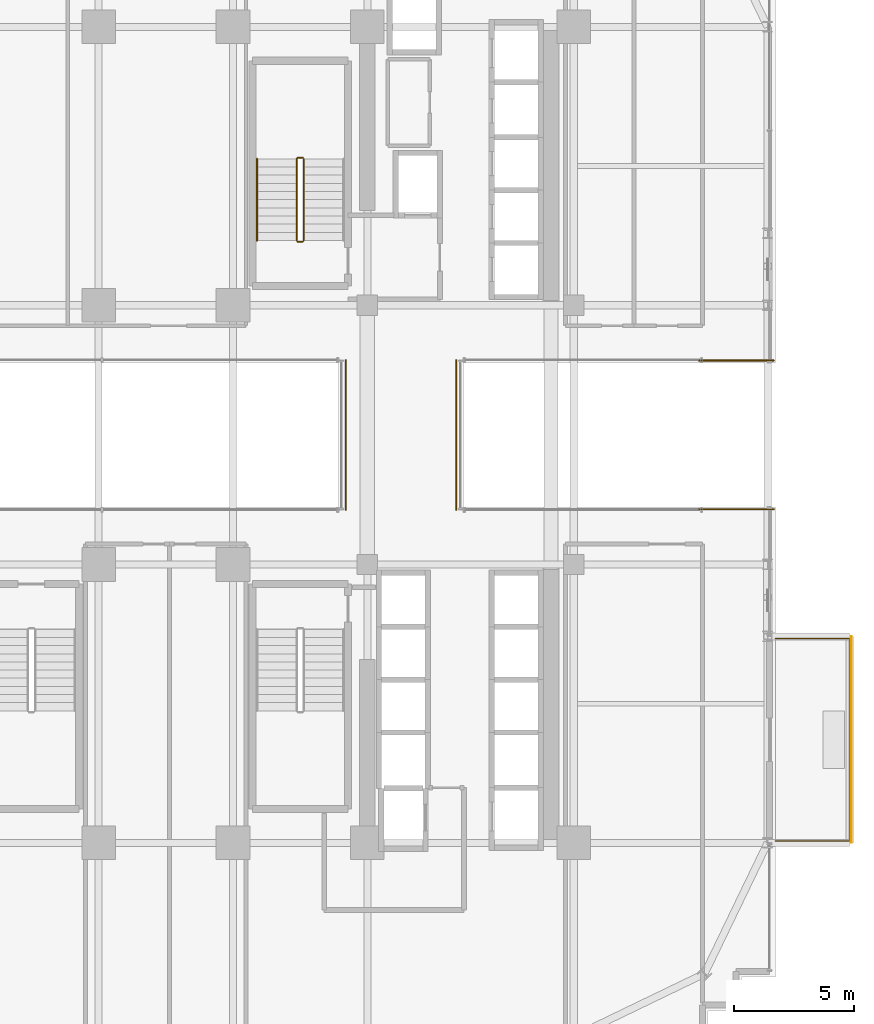
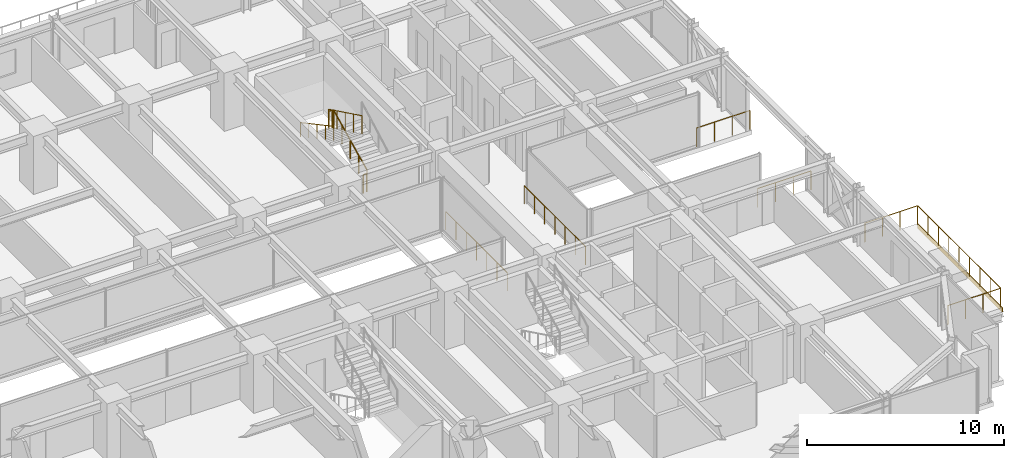
# One storey, part 45 of 47: 10 railings, 1 covering.
"""IFC4 building model written with IfcOpenShell, lengths in metres."""

from ifc_helpers import new_model, si_unit, direction, frame, origin, origin_2d, place, context, subcontext, project, spatial, rectangle, circle, extrude, source, transform, mapped, material, layer, layer_set, type_object, element, save


model = new_model("IFC4")

# Units and contexts
model_context = context("Model", 3, precision=1e-05, world=origin(), true_north=direction((0.0, 1.0)))
body_context = subcontext(model_context, "Body", "Model", "MODEL_VIEW")
ifc_project = project(units=[si_unit("LENGTHUNIT", "METRE"), si_unit("AREAUNIT", "SQUARE_METRE"), si_unit("VOLUMEUNIT", "CUBIC_METRE"), si_unit("PLANEANGLEUNIT", "RADIAN"), si_unit("MASSUNIT", "GRAM", prefix="KILO")], contexts=[model_context])

# Site, building, storey
site_placement = place(None, origin())
site = spatial("IfcSite", under=ifc_project, at=site_placement, CompositionType="ELEMENT")
building_placement = place(site_placement, origin())
building = spatial("IfcBuilding", under=site, at=building_placement, Name="Nahalor Promenade Grand Hotel", CompositionType="ELEMENT")
storey_placement = place(building_placement, frame((0.0, 0.0, 68.89990234375)))
storey = spatial("IfcBuildingStorey", under=building, at=storey_placement, Name="L16", CompositionType="ELEMENT", Elevation=68.89990234375)

# Railings
ifc_material_1 = material(Name="Anodised Bronze Aluminium EN AW-6063 T6", Category="aluminium")
railing_type_1 = type_object("IfcRailingType", Name="Bronze Balcony Guardrail 1200 mm", PredefinedType="GUARDRAIL", material=ifc_material_1)
for number, where, name in (
    (1, (22.219970703125, -3.09912109375, 0.0), "L16 Oculus Void Edge Guardrail ES"),
    (2, (22.219970703125, 3.09912109375, 0.0), "L16 Oculus Void Edge Guardrail EN"),
):
    element("IfcRailing", number, at=place(storey_placement, frame(where)), inside=storey, type_object=railing_type_1, Name=name, PredefinedType="GUARDRAIL", context=body_context, shape_type="SweptSolid", body=[
        extrude(circle(Radius=0.024048, at=origin_2d()), frame((0.0, 0.0, 1.17578125), z_axis=(1.0, 0.0, 0.0), x_axis=(0.0, 1.0, 0.0)), (0.0, 0.0, 1.0), 3.1201171875),
        extrude(circle(Radius=0.020996, at=origin_2d()), origin(), (0.0, 0.0, 1.0), 1.14990234375),
        extrude(circle(Radius=0.020996, at=origin_2d()), frame((1.0400390625, 0.0, 0.0)), (0.0, 0.0, 1.0), 1.14990234375),
        extrude(circle(Radius=0.020996, at=origin_2d()), frame((2.080078125, 0.0, 0.0)), (0.0, 0.0, 1.0), 1.14990234375),
        extrude(circle(Radius=0.020996, at=origin_2d()), frame((3.1201171875, 0.0, 0.0)), (0.0, 0.0, 1.0), 1.14990234375),
    ])
railing_1_placement = place(storey_placement, frame((25.39990234375, -16.919921875, 0.0)))
element("IfcRailing", 3, at=railing_1_placement, inside=storey, type_object=railing_type_1, Name="L16 Balcony Guardrail 2", PredefinedType="GUARDRAIL", context=body_context, shape_type="SweptSolid", body=[
    extrude(circle(Radius=0.024048, at=origin_2d()), frame((0.0, 0.0, 1.17578125), z_axis=(1.0, 0.0, 0.0), x_axis=(0.0, 1.0, 0.0)), (0.0, 0.0, 1.0), 3.09814453125),
    extrude(circle(Radius=0.024048, at=origin_2d()), frame((3.10009765625, 0.001953125, 1.17578125), z_axis=(0.0, 1.0, 0.0), x_axis=(-1.0, 0.0, 0.0)), (0.0, 0.0, 1.0), 8.43603515625),
    extrude(circle(Radius=0.024048, at=origin_2d()), frame((3.09814453125, 8.43994140625, 1.17578125), z_axis=(-1.0, 0.0, 0.0), x_axis=(0.0, -1.0, 0.0)), (0.0, 0.0, 1.0), 3.09814453125),
    extrude(circle(Radius=0.020996, at=origin_2d()), origin(), (0.0, 0.0, 1.0), 1.14990234375),
    extrude(circle(Radius=0.020996, at=origin_2d()), frame((1.033447265625, 0.0, 0.0)), (0.0, 0.0, 1.0), 1.14990234375),
    extrude(circle(Radius=0.020996, at=origin_2d()), frame((2.066650390625, 0.0, 0.0)), (0.0, 0.0, 1.0), 1.14990234375),
    extrude(circle(Radius=0.020996, at=origin_2d()), frame((3.10009765625, 0.0, 0.0)), (0.0, 0.0, 1.0), 1.14990234375),
    extrude(circle(Radius=0.020996, at=origin_2d()), frame((3.10009765625, 1.054931640625, 0.0)), (0.0, 0.0, 1.0), 1.14990234375),
    extrude(circle(Radius=0.020996, at=origin_2d()), frame((3.10009765625, 2.10986328125, 0.0)), (0.0, 0.0, 1.0), 1.14990234375),
    extrude(circle(Radius=0.020996, at=origin_2d()), frame((3.10009765625, 3.1650390625, 0.0)), (0.0, 0.0, 1.0), 1.14990234375),
    extrude(circle(Radius=0.020996, at=origin_2d()), frame((3.10009765625, 4.219970703125, 0.0)), (0.0, 0.0, 1.0), 1.14990234375),
    extrude(circle(Radius=0.020996, at=origin_2d()), frame((3.10009765625, 5.27490234375, 0.0)), (0.0, 0.0, 1.0), 1.14990234375),
    extrude(circle(Radius=0.020996, at=origin_2d()), frame((3.10009765625, 6.330078125, 0.0)), (0.0, 0.0, 1.0), 1.14990234375),
    extrude(circle(Radius=0.020996, at=origin_2d()), frame((3.10009765625, 7.385009765625, 0.0)), (0.0, 0.0, 1.0), 1.14990234375),
    extrude(circle(Radius=0.020996, at=origin_2d()), frame((3.10009765625, 8.43994140625, 0.0)), (0.0, 0.0, 1.0), 1.14990234375),
    extrude(circle(Radius=0.020996, at=origin_2d()), frame((2.066650390625, 8.43994140625, 0.0)), (0.0, 0.0, 1.0), 1.14990234375),
    extrude(circle(Radius=0.020996, at=origin_2d()), frame((1.033447265625, 8.43994140625, 0.0)), (0.0, 0.0, 1.0), 1.14990234375),
    extrude(circle(Radius=0.020996, at=origin_2d()), frame((0.0, 8.43994140625, 0.0)), (0.0, 0.0, 1.0), 1.14990234375),
])
railing_type_2 = type_object("IfcRailingType", Name="Bronze Sky Balustrade 1150 mm", PredefinedType="BALUSTRADE", material=ifc_material_1)
for number, where, name in (
    (4, (7.5, -3.118896484375, 0.0), "BL-L16-BRG-W"),
    (5, (12.10009765625, -3.118896484375, 0.0), "BL-L16-BRG-E"),
):
    element("IfcRailing", number, at=place(storey_placement, frame(where)), inside=storey, type_object=railing_type_2, Name=name, PredefinedType="BALUSTRADE", context=body_context, shape_type="SweptSolid", body=[
        extrude(circle(Radius=0.024048, at=origin_2d()), frame((0.0, 0.0, 1.1259765625), z_axis=(0.0, 1.0, 0.0), x_axis=(-1.0, 0.0, 0.0)), (0.0, 0.0, 1.0), 6.23779296875),
        extrude(circle(Radius=0.020996, at=origin_2d()), origin(), (0.0, 0.0, 1.0), 1.099853515625),
        extrude(circle(Radius=0.020996, at=origin_2d()), frame((0.0, 1.03955078125, 0.0)), (0.0, 0.0, 1.0), 1.099853515625),
        extrude(circle(Radius=0.020996, at=origin_2d()), frame((0.0, 2.079345703125, 0.0)), (0.0, 0.0, 1.0), 1.099853515625),
        extrude(circle(Radius=0.020996, at=origin_2d()), frame((0.0, 3.118896484375, 0.0)), (0.0, 0.0, 1.0), 1.099853515625),
        extrude(circle(Radius=0.020996, at=origin_2d()), frame((0.0, 4.158447265625, 0.0)), (0.0, 0.0, 1.0), 1.099853515625),
        extrude(circle(Radius=0.020996, at=origin_2d()), frame((0.0, 5.1982421875, 0.0)), (0.0, 0.0, 1.0), 1.099853515625),
        extrude(circle(Radius=0.020996, at=origin_2d()), frame((0.0, 6.23779296875, 0.0)), (0.0, 0.0, 1.0), 1.099853515625),
    ])
ifc_material_2 = material(Name="Steel S355JR", Category="steel")
railing_type_3 = type_object("IfcRailingType", Name="Steel Stair Guardrail 1150 mm", PredefinedType="GUARDRAIL", material=ifc_material_2)
railing_2_placement = place(storey_placement, frame((5.75, 8.10009765625, 0.166015625)))
element("IfcRailing", 6, at=railing_2_placement, inside=storey, type_object=railing_type_3, Name="L16 ST1 stair guard 1", PredefinedType="GUARDRAIL", context=body_context, shape_type="SweptSolid", body=[
    extrude(circle(Radius=0.024048, at=origin_2d()), frame((0.0, 0.0, 1.1259765625), z_axis=(0.0, 0.898696488221, 0.438571114028), x_axis=(-1.0, 0.0, 0.0)), (0.0, 0.0, 1.0), 3.783203125),
    extrude(circle(Radius=0.020996, at=origin_2d()), origin(), (0.0, 0.0, 1.0), 1.099853515625),
    extrude(circle(Radius=0.020996, at=origin_2d()), frame((0.0, 0.85009765625, 0.414794921875)), (0.0, 0.0, 1.0), 1.099853515625),
    extrude(circle(Radius=0.020996, at=origin_2d()), frame((0.0, 1.699951171875, 0.82958984375)), (0.0, 0.0, 1.0), 1.099853515625),
    extrude(circle(Radius=0.020996, at=origin_2d()), frame((0.0, 2.5498046875, 1.244384765625)), (0.0, 0.0, 1.0), 1.099853515625),
    extrude(circle(Radius=0.020996, at=origin_2d()), frame((0.0, 3.39990234375, 1.6591796875)), (0.0, 0.0, 1.0), 1.099853515625),
])
railing_3_placement = place(storey_placement, frame((5.699951171875, 11.550048828125, 1.8251953125)))
element("IfcRailing", 7, at=railing_3_placement, inside=storey, type_object=railing_type_3, Name="L16 ST1 stair guard 2", PredefinedType="GUARDRAIL", context=body_context, shape_type="SweptSolid", body=[
    extrude(circle(Radius=0.024048, at=origin_2d()), frame((0.0, 0.0, 1.1259765625), z_axis=(-1.0, 0.0, 0.0), x_axis=(0.0, -1.0, 0.0)), (0.0, 0.0, 1.0), 0.199951171875),
    extrude(circle(Radius=0.020996, at=origin_2d()), origin(), (0.0, 0.0, 1.0), 1.099853515625),
    extrude(circle(Radius=0.020996, at=origin_2d()), frame((-0.199951171875, 0.0, 0.0)), (0.0, 0.0, 1.0), 1.099853515625),
])
railing_4_placement = place(storey_placement, frame((5.449951171875, 11.5, 1.990966796875)))
element("IfcRailing", 8, at=railing_4_placement, inside=storey, type_object=railing_type_3, Name="L16 ST1 stair guard 3", PredefinedType="GUARDRAIL", context=body_context, shape_type="SweptSolid", body=[
    extrude(circle(Radius=0.024048, at=origin_2d()), frame((0.0, 0.0, 1.1259765625), z_axis=(0.0, -0.898696488221, 0.438571114028), x_axis=(1.0, 0.0, 0.0)), (0.0, 0.0, 1.0), 3.783203125),
    extrude(circle(Radius=0.020996, at=origin_2d()), origin(), (0.0, 0.0, 1.0), 1.099853515625),
    extrude(circle(Radius=0.020996, at=origin_2d()), frame((0.0, -0.85009765625, 0.414794921875)), (0.0, 0.0, 1.0), 1.099853515625),
    extrude(circle(Radius=0.020996, at=origin_2d()), frame((0.0, -1.699951171875, 0.82958984375)), (0.0, 0.0, 1.0), 1.099853515625),
    extrude(circle(Radius=0.020996, at=origin_2d()), frame((0.0, -2.5498046875, 1.244384765625)), (0.0, 0.0, 1.0), 1.099853515625),
    extrude(circle(Radius=0.020996, at=origin_2d()), frame((0.0, -3.39990234375, 1.6591796875)), (0.0, 0.0, 1.0), 1.099853515625),
])
railing_5_placement = place(storey_placement, frame((5.699951171875, 8.050048828125, 0.0)))
element("IfcRailing", 9, at=railing_5_placement, inside=storey, type_object=railing_type_3, Name="L16 ST1 stair guard 4", PredefinedType="GUARDRAIL", context=body_context, shape_type="SweptSolid", body=[
    extrude(circle(Radius=0.024048, at=origin_2d()), frame((0.0, 0.0, 1.1259765625), z_axis=(-1.0, 0.0, 0.0), x_axis=(0.0, -1.0, 0.0)), (0.0, 0.0, 1.0), 0.199951171875),
    extrude(circle(Radius=0.020996, at=origin_2d()), origin(), (0.0, 0.0, 1.0), 1.099853515625),
    extrude(circle(Radius=0.020996, at=origin_2d()), frame((-0.199951171875, 0.0, 0.0)), (0.0, 0.0, 1.0), 1.099853515625),
])
railing_type_4 = type_object("IfcRailingType", Name="Steel Stair Handrail 900 mm", PredefinedType="HANDRAIL", material=ifc_material_2)
railing_6_placement = place(storey_placement, frame((3.800048828125, 11.5, 1.990966796875)))
element("IfcRailing", 10, at=railing_6_placement, inside=storey, type_object=railing_type_4, Name="L16 ST1 stair handrail 2", PredefinedType="HANDRAIL", context=body_context, shape_type="SweptSolid", body=[
    extrude(circle(Radius=0.024048, at=origin_2d()), frame((0.0, 0.0, 0.8759765625), z_axis=(0.0, -0.881094038095, 0.47294111265), x_axis=(1.0, 0.0, 0.0)), (0.0, 0.0, 1.0), 3.858642578125),
    extrude(circle(Radius=0.020996, at=origin_2d()), origin(), (0.0, 0.0, 1.0), 0.849853515625),
    extrude(circle(Radius=0.020996, at=origin_2d()), frame((0.0, -0.85009765625, 0.456298828125)), (0.0, 0.0, 1.0), 0.849853515625),
    extrude(circle(Radius=0.020996, at=origin_2d()), frame((0.0, -1.699951171875, 0.91259765625)), (0.0, 0.0, 1.0), 0.849853515625),
    extrude(circle(Radius=0.020996, at=origin_2d()), frame((0.0, -2.5498046875, 1.36865234375)), (0.0, 0.0, 1.0), 0.849853515625),
    extrude(circle(Radius=0.020996, at=origin_2d()), frame((0.0, -3.39990234375, 1.824951171875)), (0.0, 0.0, 1.0), 0.849853515625),
])

# Covering
ifc_layer = layer(ifc_material_1, 0.0400390625)
ifc_layer_set = layer_set([ifc_layer], Name="Anodised Bronze Aluminium EN AW-6063 T6")
covering_type = type_object("IfcCoveringType", Name="Bronze Spandrel Cladding Panel", PredefinedType="CLADDING", material=ifc_layer_set)
shared_shape = source(origin(), body_context, "Body", "SweptSolid", [
    extrude(rectangle(XDim=8.60009765625, YDim=0.0400390625, at=origin_2d()), origin(), (0.0, 0.0, 1.0), 0.280029296875),
])
covering_placement = place(storey_placement, frame((28.56005859375, -12.699951171875, -0.27978515625), z_axis=(0.0, 0.0, 1.0), x_axis=(0.0, 1.0, 0.0)))
element("IfcCovering", 11, at=covering_placement, inside=storey, type_object=covering_type, Name="CL-L16-BALC-02", PredefinedType="CLADDING", context=body_context, shape_type="MappedRepresentation", body=[
    mapped(shared_shape, transform((0.0, 0.0, 0.0), scale=1.0)),
])

save(model, "model.ifc")
